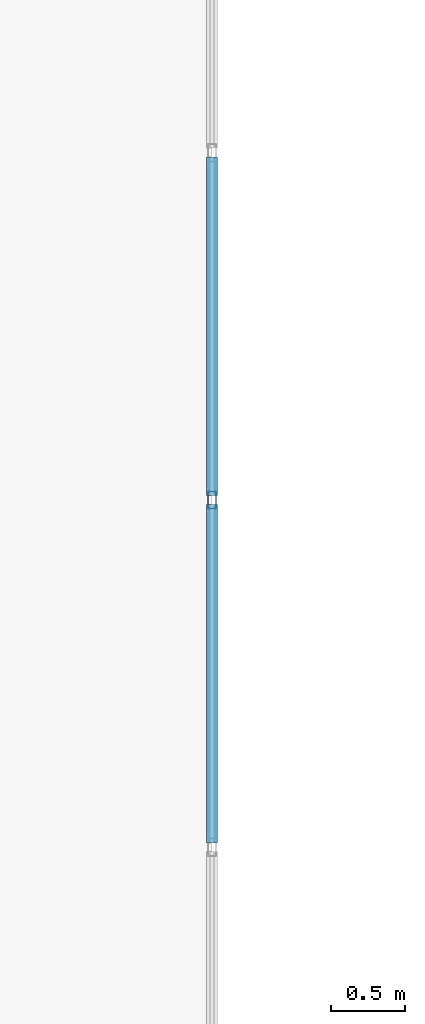
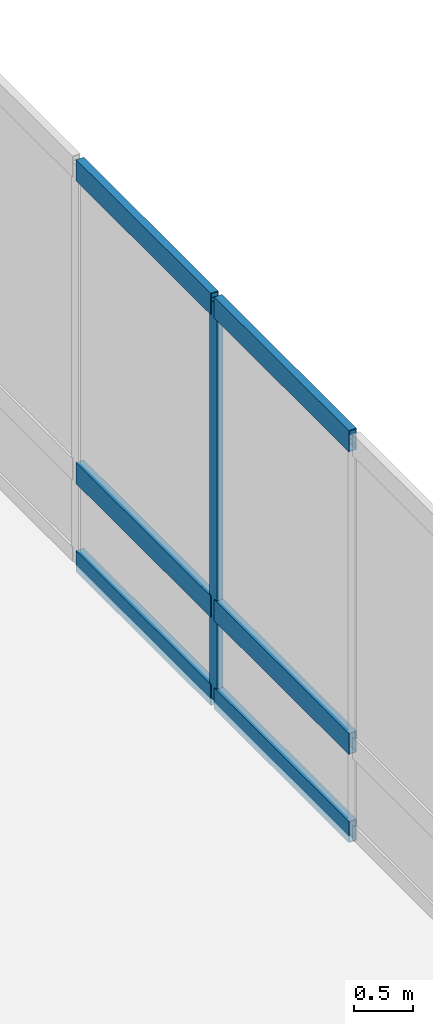
# One storey, part 34 of 115: 7 members, 1 element without a shape of its own.
"""IFC4 building model written with IfcOpenShell, lengths in metres."""

from ifc_helpers import new_model, si_unit, direction, frame, origin, origin_2d, place, context, subcontext, project, spatial, hollow_rectangle, extrude, material, layer, layer_set, material_profile, profile_set, type_object, element, aggregate, save


model = new_model("IFC4")

# Units and contexts
model_context = context("Model", 3, precision=1e-05, world=origin(), true_north=direction((0.0, 1.0)))
body_context = subcontext(model_context, "Body", "Model", "MODEL_VIEW")
ifc_project = project(units=[si_unit("LENGTHUNIT", "METRE"), si_unit("AREAUNIT", "SQUARE_METRE"), si_unit("VOLUMEUNIT", "CUBIC_METRE"), si_unit("PLANEANGLEUNIT", "RADIAN"), si_unit("MASSUNIT", "GRAM", prefix="KILO")], contexts=[model_context])

# Site, building, storey
site_placement = place(None, origin())
site = spatial("IfcSite", under=ifc_project, at=site_placement, CompositionType="ELEMENT")
building_placement = place(site_placement, origin())
building = spatial("IfcBuilding", under=site, at=building_placement, Name="Montelvaro Courts of Justice", CompositionType="ELEMENT")
storey_placement = place(building_placement, frame((0.0, 0.0, 9.89990234375)))
storey = spatial("IfcBuildingStorey", under=building, at=storey_placement, Name="L02", CompositionType="ELEMENT", Elevation=9.89990234375)

# Curtain wall, members
ifc_material = material(Name="Anodised aluminium EN AW-6063", Category="aluminium")
ifc_layer = layer(ifc_material, 0.159912109375)
ifc_layer_set = layer_set([ifc_layer], Name="Anodised aluminium EN AW-6063")
curtain_wall_type = type_object("IfcCurtainWallType", Name="CurtainWall_24_1169x418", PredefinedType="USERDEFINED", material=ifc_layer_set)
curtain_wall_placement = place(storey_placement, origin())
curtain_wall = element("IfcCurtainWall", 1, at=curtain_wall_placement, inside=storey, type_object=curtain_wall_type, Name="Curtain Wall CW-24 (L02)", ObjectType="CURTAIN WALL", PredefinedType="USERDEFINED")
ifc_material_profile_1 = material_profile(ifc_material, hollow_rectangle(XDim=0.06005859375, YDim=0.1201171875, WallThickness=0.00341796875, at=origin_2d()), Name="ALU-M 60x120")
ifc_profile_set_1 = profile_set([ifc_material_profile_1], Name="Anodised aluminium EN AW-6063")
member_type_1 = type_object("IfcMemberType", Name="CurtainWall_Mullion_60x120", PredefinedType="MULLION", material=ifc_profile_set_1)
member_1_placement = place(storey_placement, frame((80.949951171875, 61.1708984375, 0.0), z_axis=(0.0, 0.0, 1.0), x_axis=(-1.0, 0.0, 0.0)))
member_1 = element("IfcMember", 2, at=member_1_placement, type_object=member_type_1, Name="CW-24 mullion 4", PredefinedType="MULLION", context=body_context, shape_type="SweptSolid", body=[
    extrude(hollow_rectangle(XDim=0.06005859375, YDim=0.1201171875, WallThickness=0.00341796875, at=origin_2d()), origin(), (0.0, 0.0, 1.0), 4.1201171875),
])
ifc_material_profile_2 = material_profile(ifc_material, hollow_rectangle(XDim=0.074951171875, YDim=0.219970703125, WallThickness=0.005615234375, at=origin_2d()), Name="ALU-T 75x220")
ifc_profile_set_2 = profile_set([ifc_material_profile_2], Name="Anodised aluminium EN AW-6063")
member_type_2 = type_object("IfcMemberType", Name="CurtainWall_Transom_75x220", PredefinedType="USERDEFINED", material=ifc_profile_set_2)
member_2_placement = place(storey_placement, frame((80.949951171875, 58.85888671875, 0.03759765625), z_axis=(0.0, 1.0, 0.0), x_axis=(-1.0, 0.0, 0.0)))
member_2 = element("IfcMember", 3, at=member_2_placement, type_object=member_type_2, Name="CW-24 transom 3.1", ObjectType="TRANSOM", PredefinedType="USERDEFINED", context=body_context, shape_type="SweptSolid", body=[
    extrude(hollow_rectangle(XDim=0.074951171875, YDim=0.219970703125, WallThickness=0.005615234375, at=origin_2d()), origin(), (0.0, 0.0, 1.0), 2.2822265625),
])
member_3_placement = place(storey_placement, frame((80.949951171875, 58.85888671875, 0.9501953125), z_axis=(0.0, 1.0, 0.0), x_axis=(-1.0, 0.0, 0.0)))
member_3 = element("IfcMember", 4, at=member_3_placement, type_object=member_type_2, Name="CW-24 transom 3.2", ObjectType="TRANSOM", PredefinedType="USERDEFINED", context=body_context, shape_type="SweptSolid", body=[
    extrude(hollow_rectangle(XDim=0.074951171875, YDim=0.219970703125, WallThickness=0.005615234375, at=origin_2d()), origin(), (0.0, 0.0, 1.0), 2.2822265625),
])
member_4_placement = place(storey_placement, frame((80.949951171875, 58.85888671875, 4.08251953125), z_axis=(0.0, 1.0, 0.0), x_axis=(-1.0, 0.0, 0.0)))
member_4 = element("IfcMember", 5, at=member_4_placement, type_object=member_type_2, Name="CW-24 transom 3.3", ObjectType="TRANSOM", PredefinedType="USERDEFINED", context=body_context, shape_type="SweptSolid", body=[
    extrude(hollow_rectangle(XDim=0.074951171875, YDim=0.219970703125, WallThickness=0.005615234375, at=origin_2d()), origin(), (0.0, 0.0, 1.0), 2.2822265625),
])
member_5_placement = place(storey_placement, frame((80.949951171875, 61.200927734375, 0.03759765625), z_axis=(0.0, 1.0, 0.0), x_axis=(-1.0, 0.0, 0.0)))
member_5 = element("IfcMember", 6, at=member_5_placement, type_object=member_type_2, Name="CW-24 transom 4.1", ObjectType="TRANSOM", PredefinedType="USERDEFINED", context=body_context, shape_type="SweptSolid", body=[
    extrude(hollow_rectangle(XDim=0.074951171875, YDim=0.219970703125, WallThickness=0.005615234375, at=origin_2d()), origin(), (0.0, 0.0, 1.0), 2.281982421875),
])
member_6_placement = place(storey_placement, frame((80.949951171875, 61.200927734375, 0.9501953125), z_axis=(0.0, 1.0, 0.0), x_axis=(-1.0, 0.0, 0.0)))
member_6 = element("IfcMember", 7, at=member_6_placement, type_object=member_type_2, Name="CW-24 transom 4.2", ObjectType="TRANSOM", PredefinedType="USERDEFINED", context=body_context, shape_type="SweptSolid", body=[
    extrude(hollow_rectangle(XDim=0.074951171875, YDim=0.219970703125, WallThickness=0.005615234375, at=origin_2d()), origin(), (0.0, 0.0, 1.0), 2.281982421875),
])
member_7_placement = place(storey_placement, frame((80.949951171875, 61.200927734375, 4.08251953125), z_axis=(0.0, 1.0, 0.0), x_axis=(-1.0, 0.0, 0.0)))
member_7 = element("IfcMember", 8, at=member_7_placement, type_object=member_type_2, Name="CW-24 transom 4.3", ObjectType="TRANSOM", PredefinedType="USERDEFINED", context=body_context, shape_type="SweptSolid", body=[
    extrude(hollow_rectangle(XDim=0.074951171875, YDim=0.219970703125, WallThickness=0.005615234375, at=origin_2d()), origin(), (0.0, 0.0, 1.0), 2.281982421875),
])
aggregate(curtain_wall, [member_1, member_2, member_3, member_4, member_5, member_6, member_7])

save(model, "model.ifc")
